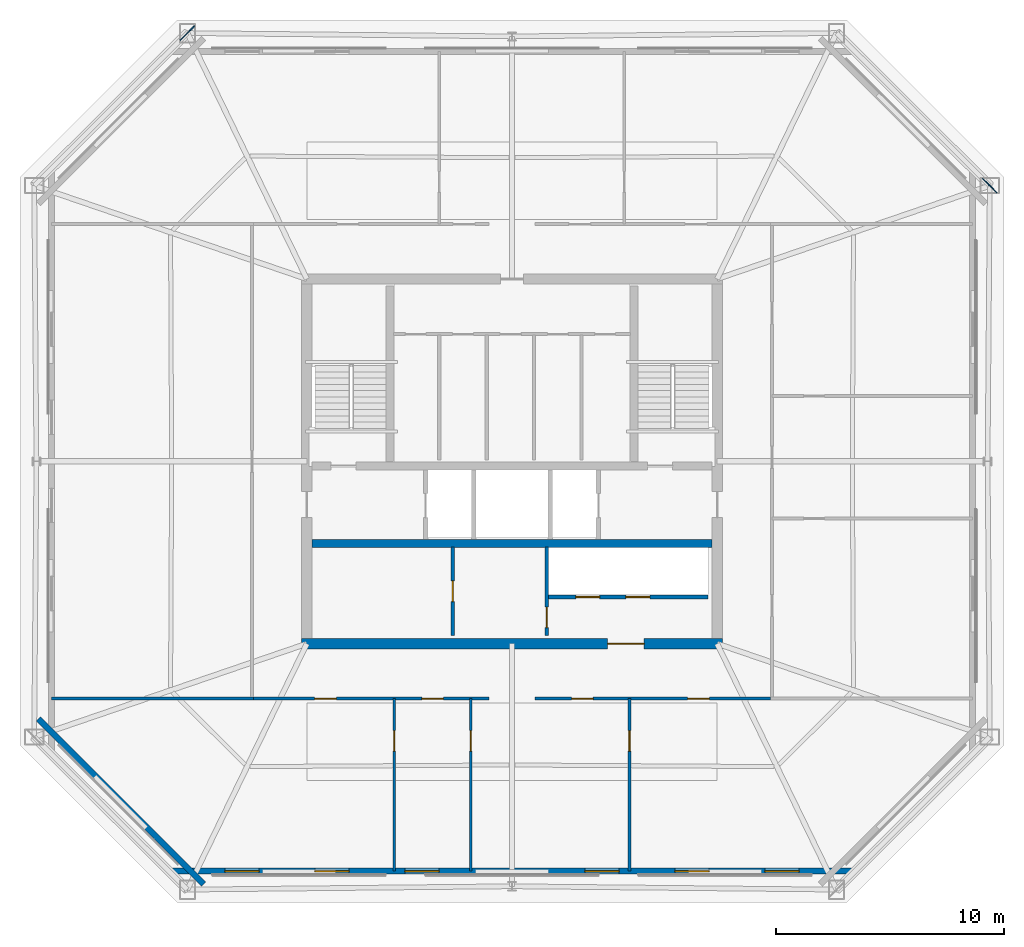
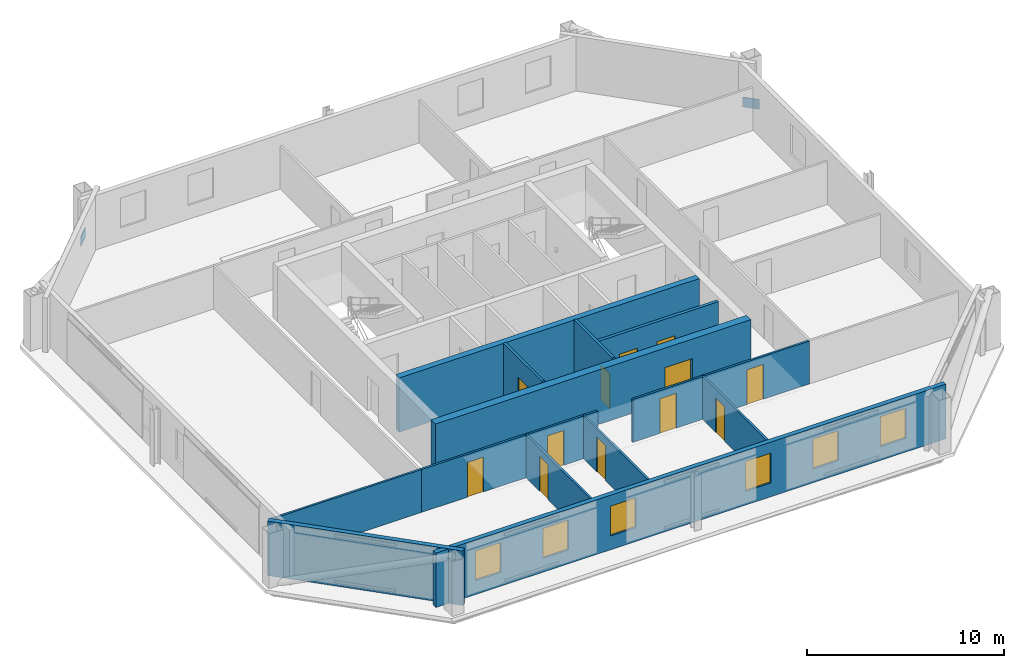
# One storey, part 2 of 7: 13 walls, 12 doors, 6 windows, 2 plates, 18 openings.
"""IFC4 building model written with IfcOpenShell, lengths in metres."""

from ifc_helpers import new_model, si_unit, direction, frame, frame_2d, origin, origin_2d, place, context, subcontext, project, spatial, rectangle, extrude, material, layer, layer_set, type_object, element, fill, save


model = new_model("IFC4")

# Units and contexts
model_context = context("Model", 3, precision=1e-05, world=origin(), true_north=direction((0.0, 1.0)))
body_context = subcontext(model_context, "Body", "Model", "MODEL_VIEW")
ifc_project = project(units=[si_unit("LENGTHUNIT", "METRE"), si_unit("AREAUNIT", "SQUARE_METRE"), si_unit("VOLUMEUNIT", "CUBIC_METRE"), si_unit("PLANEANGLEUNIT", "RADIAN"), si_unit("MASSUNIT", "GRAM", prefix="KILO")], contexts=[model_context])

# Site, building, storey
site_placement = place(None, origin())
site = spatial("IfcSite", under=ifc_project, at=site_placement, CompositionType="ELEMENT")
building_placement = place(site_placement, origin())
building = spatial("IfcBuilding", under=site, at=building_placement, Name="Caelvoria Tower", CompositionType="ELEMENT")
storey_placement = place(building_placement, frame((0.0, 0.0, 213.0)))
storey = spatial("IfcBuildingStorey", under=building, at=storey_placement, Name="L56", CompositionType="ELEMENT", Elevation=213.0)

# Plates
ifc_material_1 = material(Name="Structural Steel ASTM A572 Gr.50", Category="steel")
ifc_layer_1 = layer(ifc_material_1, 0.0400390625, Name="Structural Steel ASTM A572 Gr.50")
ifc_layer_set_1 = layer_set([ifc_layer_1], Name="Megaframe Node Gusset Plate 900x600x40 - Structural Steel ASTM A572 Gr.50")
plate_type = type_object("IfcPlateType", Name="Megaframe Node Gusset Plate 900x600x40", PredefinedType="USERDEFINED", material=ifc_layer_set_1)
for number, where, z_axis, x_axis, name in (
    (1, (66.962890625, 44.0947265625, 0.02001953125), (0.0, 0.0, 1.0), (-0.708439620888, 0.70577142444, 0.0), "Chamfer Mega Brace Gusset L56 NE"),
    (2, (31.757568359375, 50.789794921875, 0.02001953125), (0.0, 0.0, 1.0), (-0.708439620888, -0.70577142444, 0.0), "Chamfer Mega Brace Gusset L56 NW"),
):
    element("IfcPlate", number, at=place(storey_placement, frame(where, z_axis=z_axis, x_axis=x_axis)), inside=storey, type_object=plate_type, Name=name, ObjectType="GUSSET_PLATE", PredefinedType="USERDEFINED", context=body_context, shape_type="SweptSolid", body=[
        extrude(rectangle(XDim=0.89990234375, YDim=0.0400390625, at=origin_2d()), origin(), (0.0, 0.0, 1.0), 0.60009765625),
    ])

# Wall
ifc_material_2 = material(Name="Concrete C50/60", Category="concrete")
ifc_layer_2 = layer(ifc_material_2, 0.35009765625, Name="Concrete C50/60")
ifc_layer_set_2 = layer_set([ifc_layer_2], Name="Core Internal Shear Wall 350 - Concrete C50/60")
wall_type_1 = type_object("IfcWallType", Name="Core Internal Shear Wall 350", PredefinedType="SHEAR", material=ifc_layer_set_2)
wall_1_placement = place(storey_placement, frame((37.22509765625, 28.39990234375, 0.0), z_axis=(0.0, 0.0, 1.0), x_axis=(1.0, 0.0, 0.0)))
element("IfcWall", 3, at=wall_1_placement, inside=storey, type_object=wall_type_1, Name="Core Shear Wall L56 M2", PredefinedType="SHEAR", context=body_context, shape_type="SweptSolid", body=[
    extrude(rectangle(XDim=17.5498046875, YDim=0.35009765625, at=frame_2d((8.77490234375, 0.0))), origin(), (0.0, 0.0, 1.0), 3.360107421875),
])

# Wall, opening, door
ifc_material_3 = material(Name="Double Gypsum Board on Steel Stud", Category="steel")
ifc_layer_3 = layer(ifc_material_3, 0.14990234375, Name="Double Gypsum Board on Steel Stud")
ifc_layer_set_3 = layer_set([ifc_layer_3], Name="Core Service Acoustic Partition Wall 150 - Double Gypsum Board on Steel Stud")
wall_type_2 = type_object("IfcWallType", Name="Core Service Acoustic Partition Wall 150", PredefinedType="PARTITIONING", material=ifc_layer_set_3)
wall_2_placement = place(storey_placement, frame((43.39990234375, 24.35009765625, 0.0), z_axis=(0.0, 0.0, 1.0), x_axis=(0.0, 1.0, 0.0)))
wall_2 = element("IfcWall", 4, at=wall_2_placement, inside=storey, type_object=wall_type_2, Name="Interior Partition IW-L56-RECL-MID", PredefinedType="PARTITIONING", context=body_context, shape_type="SweptSolid", body=[
    extrude(rectangle(XDim=3.89990234375, YDim=0.14990234375, at=frame_2d((1.949951171875, 0.0))), origin(), (0.0, 0.0, 1.0), 3.375),
])
opening_1_placement = place(wall_2_placement, frame((1.5, 0.0, 0.0)))
opening_1 = element("IfcOpeningElement", 5, at=opening_1_placement, cuts=wall_2, Name="Opening ID-06", PredefinedType="OPENING", context=body_context, shape_type="SweptSolid", body=[
    extrude(rectangle(XDim=0.89990234375, YDim=2.14990234375, at=frame_2d((0.449951171875, 1.074951171875))), frame((0.0, 0.0849609375, 0.0), z_axis=(0.0, -1.0, 0.0), x_axis=(1.0, 0.0, 0.0)), (0.0, 0.0, 1.0), 0.169921875),
])
ifc_material_4 = material(Name="Engineered Andean Oak Veneer Door", Category="wood")
door_type_1 = type_object("IfcDoorType", Name="Interior Timber Door 900x2150", OperationType="NOTDEFINED", PredefinedType="DOOR", material=ifc_material_4)
door_1_placement = place(opening_1_placement, origin())
door_1 = element("IfcDoor", 6, at=door_1_placement, inside=storey, type_object=door_type_1, Name="Interior Door DR-L56-RECL12", OperationType="SINGLE_SWING_LEFT", OverallHeight=2.14990234375, OverallWidth=0.89990234375, PredefinedType="DOOR", context=body_context, shape_type="SweptSolid", body=[
    extrude(rectangle(XDim=0.89990234375, YDim=2.14990234375, at=frame_2d((0.449951171875, 1.074951171875))), frame((0.0, 0.02490234375, 0.0), z_axis=(0.0, -1.0, 0.0), x_axis=(1.0, 0.0, 0.0)), (0.0, 0.0, 1.0), 0.050048828125),
])
fill(opening_1, door_1)

wall_3_placement = place(storey_placement, frame((47.52001953125, 24.35009765625, 0.0), z_axis=(0.0, 0.0, 1.0), x_axis=(0.0, 1.0, 0.0)))
wall_3 = element("IfcWall", 7, at=wall_3_placement, inside=storey, type_object=wall_type_2, Name="Interior Partition IW-L56-RECL2E", PredefinedType="PARTITIONING", context=body_context, shape_type="SweptSolid", body=[
    extrude(rectangle(XDim=3.89990234375, YDim=0.14990234375, at=frame_2d((1.949951171875, 0.0))), origin(), (0.0, 0.0, 1.0), 3.375),
])
opening_2_placement = place(wall_3_placement, frame((0.35009765625, 0.0, 0.0)))
opening_2 = element("IfcOpeningElement", 8, at=opening_2_placement, cuts=wall_3, Name="Opening ID-04", PredefinedType="OPENING", context=body_context, shape_type="SweptSolid", body=[
    extrude(rectangle(XDim=0.89990234375, YDim=2.14990234375, at=frame_2d((0.449951171875, 1.074951171875))), frame((0.0, 0.0849609375, 0.0), z_axis=(0.0, -1.0, 0.0), x_axis=(1.0, 0.0, 0.0)), (0.0, 0.0, 1.0), 0.169921875),
])
ifc_material_5 = material(Name="Acoustic Timber Fire Door", Category="wood")
door_type_2 = type_object("IfcDoorType", Name="Fire Door FD30S 900x2150", OperationType="NOTDEFINED", PredefinedType="DOOR", material=ifc_material_5)
door_2_placement = place(opening_2_placement, origin())
door_2 = element("IfcDoor", 9, at=door_2_placement, inside=storey, type_object=door_type_2, Name="Interior Door DR-L56-RECL2", OperationType="SINGLE_SWING_RIGHT", OverallHeight=2.14990234375, OverallWidth=0.89990234375, PredefinedType="DOOR", context=body_context, shape_type="SweptSolid", body=[
    extrude(rectangle(XDim=0.89990234375, YDim=2.14990234375, at=frame_2d((0.449951171875, 1.074951171875))), frame((0.0, 0.02490234375, 0.0), z_axis=(0.0, -1.0, 0.0), x_axis=(1.0, 0.0, 0.0)), (0.0, 0.0, 1.0), 0.050048828125),
])
fill(opening_2, door_2)

# Wall, openings, doors
ifc_material_6 = material(Name="Concrete Block and Fireboard Assembly", Category="concrete")
ifc_layer_4 = layer(ifc_material_6, 0.179931640625, Name="Concrete Block and Fireboard Assembly")
ifc_layer_set_4 = layer_set([ifc_layer_4], Name="Fire-Rated Hoistway Partition Wall 180 - Concrete Block and Fireboard Assembly")
wall_type_3 = type_object("IfcWallType", Name="Fire-Rated Hoistway Partition Wall 180", PredefinedType="PARTITIONING", material=ifc_layer_set_4)
wall_4_placement = place(storey_placement, frame((47.60009765625, 26.050048828125, 0.0), z_axis=(0.0, 0.0, 1.0), x_axis=(1.0, 0.0, 0.0)))
wall_4 = element("IfcWall", 10, at=wall_4_placement, inside=storey, type_object=wall_type_3, Name="Interior Partition IW-L56-LFRONT", PredefinedType="PARTITIONING", context=body_context, shape_type="SweptSolid", body=[
    extrude(rectangle(XDim=7.0, YDim=0.179931640625, at=frame_2d((3.5, 0.0))), origin(), (0.0, 0.0, 1.0), 3.375),
])
opening_3_placement = place(wall_4_placement, frame((1.199951171875, 0.0, 0.0)))
opening_3 = element("IfcOpeningElement", 11, at=opening_3_placement, cuts=wall_4, Name="Opening LD-01", PredefinedType="OPENING", context=body_context, shape_type="SweptSolid", body=[
    extrude(rectangle(XDim=1.050048828125, YDim=2.14990234375, at=frame_2d((0.52490234375, 1.074951171875))), frame((0.0, 0.099853515625, 0.0), z_axis=(0.0, -1.0, 0.0), x_axis=(1.0, 0.0, 0.0)), (0.0, 0.0, 1.0), 0.199951171875),
])
opening_4_placement = place(wall_4_placement, frame((3.39990234375, 0.0, 0.0)))
opening_4 = element("IfcOpeningElement", 12, at=opening_4_placement, cuts=wall_4, Name="Opening LD-01", PredefinedType="OPENING", context=body_context, shape_type="SweptSolid", body=[
    extrude(rectangle(XDim=1.050048828125, YDim=2.14990234375, at=frame_2d((0.52490234375, 1.074951171875))), frame((0.0, 0.099853515625, 0.0), z_axis=(0.0, -1.0, 0.0), x_axis=(1.0, 0.0, 0.0)), (0.0, 0.0, 1.0), 0.199951171875),
])
ifc_material_7 = material(Name="Brushed Bronze Stainless Sliding Landing Door", Category="aluminium")
door_type_3 = type_object("IfcDoorType", Name="Lift Landing Sliding Door 1100x2150", OperationType="NOTDEFINED", PredefinedType="DOOR", material=ifc_material_7)
door_3_placement = place(opening_3_placement, origin())
door_3 = element("IfcDoor", 13, at=door_3_placement, inside=storey, type_object=door_type_3, Name="Interior Door LD-L56-PH1", OperationType="SLIDING_TO_LEFT", OverallHeight=2.14990234375, OverallWidth=1.050048828125, PredefinedType="DOOR", context=body_context, shape_type="SweptSolid", body=[
    extrude(rectangle(XDim=1.050048828125, YDim=2.14990234375, at=frame_2d((0.52490234375, 1.074951171875))), frame((0.0, 0.02490234375, 0.0), z_axis=(0.0, -1.0, 0.0), x_axis=(1.0, 0.0, 0.0)), (0.0, 0.0, 1.0), 0.050048828125),
])
fill(opening_3, door_3)
door_4_placement = place(opening_4_placement, origin())
door_4 = element("IfcDoor", 14, at=door_4_placement, inside=storey, type_object=door_type_3, Name="Interior Door LD-L56-PH2", OperationType="SLIDING_TO_RIGHT", OverallHeight=2.14990234375, OverallWidth=1.050048828125, PredefinedType="DOOR", context=body_context, shape_type="SweptSolid", body=[
    extrude(rectangle(XDim=1.050048828125, YDim=2.14990234375, at=frame_2d((0.52490234375, 1.074951171875))), frame((0.0, 0.02490234375, 0.0), z_axis=(0.0, -1.0, 0.0), x_axis=(1.0, 0.0, 0.0)), (0.0, 0.0, 1.0), 0.050048828125),
])
fill(opening_4, door_4)

# Wall, opening, door
ifc_material_8 = material(Name="Acoustic Gypsum Board on Light-Gauge Stud", Category="gypsum")
ifc_layer_5 = layer(ifc_material_8, 0.1201171875, Name="Acoustic Gypsum Board on Light-Gauge Stud")
ifc_layer_set_5 = layer_set([ifc_layer_5], Name="Tenant Suite Acoustic Partition Wall 120 - Acoustic Gypsum Board on Light-Gauge Stud")
wall_type_4 = type_object("IfcWallType", Name="Tenant Suite Acoustic Partition Wall 120", PredefinedType="PARTITIONING", material=ifc_layer_set_5)
wall_5_placement = place(storey_placement, frame((40.83935546875, 21.590087890625, 0.0), z_axis=(0.0, 0.0, 1.0), x_axis=(0.0, -1.0, 0.0)))
wall_5 = element("IfcWall", 15, at=wall_5_placement, inside=storey, type_object=wall_type_4, Name="Interior Partition IW-L56-SD-00-0", PredefinedType="PARTITIONING", context=body_context, shape_type="SweptSolid", body=[
    extrude(rectangle(XDim=7.57373046875, YDim=0.1201171875, at=frame_2d((3.786865234375, 0.0))), origin(), (0.0, 0.0, 1.0), 2.655029296875),
])
opening_5_placement = place(wall_5_placement, frame((1.39990234375, 0.0, 0.0)))
opening_5 = element("IfcOpeningElement", 16, at=opening_5_placement, cuts=wall_5, Name="Opening ID-06", PredefinedType="OPENING", context=body_context, shape_type="SweptSolid", body=[
    extrude(rectangle(XDim=0.89990234375, YDim=2.14990234375, at=frame_2d((0.449951171875, 1.074951171875))), frame((0.0, 0.070068359375, 0.0), z_axis=(0.0, -1.0, 0.0), x_axis=(1.0, 0.0, 0.0)), (0.0, 0.0, 1.0), 0.14013671875),
])
door_5_placement = place(opening_5_placement, origin())
door_5 = element("IfcDoor", 17, at=door_5_placement, inside=storey, type_object=door_type_1, Name="Interior Door DR-L56-SM-00-0", OperationType="SINGLE_SWING_RIGHT", OverallHeight=2.14990234375, OverallWidth=0.89990234375, PredefinedType="DOOR", context=body_context, shape_type="SweptSolid", body=[
    extrude(rectangle(XDim=0.89990234375, YDim=2.14990234375, at=frame_2d((0.449951171875, 1.074951171875))), frame((0.0, 0.02490234375, 0.0), z_axis=(0.0, -1.0, 0.0), x_axis=(1.0, 0.0, 0.0)), (0.0, 0.0, 1.0), 0.050048828125),
])
fill(opening_5, door_5)

wall_6_placement = place(storey_placement, frame((44.19580078125, 21.590087890625, 0.0), z_axis=(0.0, 0.0, 1.0), x_axis=(0.0, -1.0, 0.0)))
wall_6 = element("IfcWall", 18, at=wall_6_placement, inside=storey, type_object=wall_type_4, Name="Interior Partition IW-L56-SD-01-0", PredefinedType="PARTITIONING", context=body_context, shape_type="SweptSolid", body=[
    extrude(rectangle(XDim=7.57373046875, YDim=0.1201171875, at=frame_2d((3.786865234375, 0.0))), origin(), (0.0, 0.0, 1.0), 2.655029296875),
])
opening_6_placement = place(wall_6_placement, frame((1.39990234375, 0.0, 0.0)))
opening_6 = element("IfcOpeningElement", 19, at=opening_6_placement, cuts=wall_6, Name="Opening ID-06", PredefinedType="OPENING", context=body_context, shape_type="SweptSolid", body=[
    extrude(rectangle(XDim=0.89990234375, YDim=2.14990234375, at=frame_2d((0.449951171875, 1.074951171875))), frame((0.0, 0.070068359375, 0.0), z_axis=(0.0, -1.0, 0.0), x_axis=(1.0, 0.0, 0.0)), (0.0, 0.0, 1.0), 0.14013671875),
])
door_6_placement = place(opening_6_placement, origin())
door_6 = element("IfcDoor", 20, at=door_6_placement, inside=storey, type_object=door_type_1, Name="Interior Door DR-L56-SM-01-0", OperationType="SINGLE_SWING_LEFT", OverallHeight=2.14990234375, OverallWidth=0.89990234375, PredefinedType="DOOR", context=body_context, shape_type="SweptSolid", body=[
    extrude(rectangle(XDim=0.89990234375, YDim=2.14990234375, at=frame_2d((0.449951171875, 1.074951171875))), frame((0.0, 0.02490234375, 0.0), z_axis=(0.0, -1.0, 0.0), x_axis=(1.0, 0.0, 0.0)), (0.0, 0.0, 1.0), 0.050048828125),
])
fill(opening_6, door_6)

wall_7_placement = place(storey_placement, frame((51.155517578125, 21.590087890625, 0.0), z_axis=(0.0, 0.0, 1.0), x_axis=(0.0, -1.0, 0.0)))
wall_7 = element("IfcWall", 21, at=wall_7_placement, inside=storey, type_object=wall_type_4, Name="Interior Partition IW-L56-SD-02-0", PredefinedType="PARTITIONING", context=body_context, shape_type="SweptSolid", body=[
    extrude(rectangle(XDim=7.57373046875, YDim=0.1201171875, at=frame_2d((3.786865234375, 0.0))), origin(), (0.0, 0.0, 1.0), 2.655029296875),
])
opening_7_placement = place(wall_7_placement, frame((1.39990234375, 0.0, 0.0)))
opening_7 = element("IfcOpeningElement", 22, at=opening_7_placement, cuts=wall_7, Name="Opening ID-06", PredefinedType="OPENING", context=body_context, shape_type="SweptSolid", body=[
    extrude(rectangle(XDim=0.89990234375, YDim=2.14990234375, at=frame_2d((0.449951171875, 1.074951171875))), frame((0.0, 0.070068359375, 0.0), z_axis=(0.0, -1.0, 0.0), x_axis=(1.0, 0.0, 0.0)), (0.0, 0.0, 1.0), 0.14013671875),
])
door_7_placement = place(opening_7_placement, origin())
door_7 = element("IfcDoor", 23, at=door_7_placement, inside=storey, type_object=door_type_1, Name="Interior Door DR-L56-SM-02-0", OperationType="SINGLE_SWING_RIGHT", OverallHeight=2.14990234375, OverallWidth=0.89990234375, PredefinedType="DOOR", context=body_context, shape_type="SweptSolid", body=[
    extrude(rectangle(XDim=0.89990234375, YDim=2.14990234375, at=frame_2d((0.449951171875, 1.074951171875))), frame((0.0, 0.02490234375, 0.0), z_axis=(0.0, -1.0, 0.0), x_axis=(1.0, 0.0, 0.0)), (0.0, 0.0, 1.0), 0.050048828125),
])
fill(opening_7, door_7)

# Wall, openings, doors
wall_8_placement = place(storey_placement, frame((34.64990234375, 21.590087890625, 0.0), z_axis=(0.0, 0.0, 1.0), x_axis=(1.0, 0.0, 0.0)))
wall_8 = element("IfcWall", 24, at=wall_8_placement, inside=storey, type_object=wall_type_4, Name="Interior Partition IW-L56-SCW-0", PredefinedType="PARTITIONING", context=body_context, shape_type="SweptSolid", body=[
    extrude(rectangle(XDim=10.330078125, YDim=0.1201171875, at=frame_2d((5.1650390625, 0.0))), origin(), (0.0, 0.0, 1.0), 2.655029296875),
])
opening_8_placement = place(wall_8_placement, frame((2.689697265625, 0.0, 0.0)))
opening_8 = element("IfcOpeningElement", 25, at=opening_8_placement, cuts=wall_8, Name="Opening ID-05", PredefinedType="OPENING", context=body_context, shape_type="SweptSolid", body=[
    extrude(rectangle(XDim=0.949951171875, YDim=2.14990234375, at=frame_2d((0.47509765625, 1.074951171875))), frame((0.0, 0.070068359375, 0.0), z_axis=(0.0, -1.0, 0.0), x_axis=(1.0, 0.0, 0.0)), (0.0, 0.0, 1.0), 0.14013671875),
])
opening_9_placement = place(wall_8_placement, frame((7.392578125, 0.0, 0.0)))
opening_9 = element("IfcOpeningElement", 26, at=opening_9_placement, cuts=wall_8, Name="Opening ID-05", PredefinedType="OPENING", context=body_context, shape_type="SweptSolid", body=[
    extrude(rectangle(XDim=0.949951171875, YDim=2.14990234375, at=frame_2d((0.47509765625, 1.074951171875))), frame((0.0, 0.070068359375, 0.0), z_axis=(0.0, -1.0, 0.0), x_axis=(1.0, 0.0, 0.0)), (0.0, 0.0, 1.0), 0.14013671875),
])
door_type_4 = type_object("IfcDoorType", Name="Interior Timber Door 950x2150", OperationType="NOTDEFINED", PredefinedType="DOOR", material=ifc_material_4)
door_8_placement = place(opening_8_placement, origin())
door_8 = element("IfcDoor", 27, at=door_8_placement, inside=storey, type_object=door_type_4, Name="Interior Door DR-L56-SC-00-0", OperationType="SINGLE_SWING_LEFT", OverallHeight=2.14990234375, OverallWidth=0.949951171875, PredefinedType="DOOR", context=body_context, shape_type="SweptSolid", body=[
    extrude(rectangle(XDim=0.949951171875, YDim=2.14990234375, at=frame_2d((0.47509765625, 1.074951171875))), frame((0.0, 0.02490234375, 0.0), z_axis=(0.0, -1.0, 0.0), x_axis=(1.0, 0.0, 0.0)), (0.0, 0.0, 1.0), 0.050048828125),
])
fill(opening_8, door_8)
door_9_placement = place(opening_9_placement, origin())
door_9 = element("IfcDoor", 28, at=door_9_placement, inside=storey, type_object=door_type_4, Name="Interior Door DR-L56-SC-01-0", OperationType="SINGLE_SWING_RIGHT", OverallHeight=2.14990234375, OverallWidth=0.949951171875, PredefinedType="DOOR", context=body_context, shape_type="SweptSolid", body=[
    extrude(rectangle(XDim=0.949951171875, YDim=2.14990234375, at=frame_2d((0.47509765625, 1.074951171875))), frame((0.0, 0.02490234375, 0.0), z_axis=(0.0, -1.0, 0.0), x_axis=(1.0, 0.0, 0.0)), (0.0, 0.0, 1.0), 0.050048828125),
])
fill(opening_9, door_9)

wall_9_placement = place(storey_placement, frame((47.02001953125, 21.590087890625, 0.0), z_axis=(0.0, 0.0, 1.0), x_axis=(1.0, 0.0, 0.0)))
wall_9 = element("IfcWall", 29, at=wall_9_placement, inside=storey, type_object=wall_type_4, Name="Interior Partition IW-L56-SCW-1", PredefinedType="PARTITIONING", context=body_context, shape_type="SweptSolid", body=[
    extrude(rectangle(XDim=10.330078125, YDim=0.1201171875, at=frame_2d((5.1650390625, 0.0))), origin(), (0.0, 0.0, 1.0), 2.655029296875),
])
opening_10_placement = place(wall_9_placement, frame((1.5927734375, 0.0, 0.0)))
opening_10 = element("IfcOpeningElement", 30, at=opening_10_placement, cuts=wall_9, Name="Opening ID-05", PredefinedType="OPENING", context=body_context, shape_type="SweptSolid", body=[
    extrude(rectangle(XDim=0.949951171875, YDim=2.14990234375, at=frame_2d((0.47509765625, 1.074951171875))), frame((0.0, 0.070068359375, 0.0), z_axis=(0.0, -1.0, 0.0), x_axis=(1.0, 0.0, 0.0)), (0.0, 0.0, 1.0), 0.14013671875),
])
opening_11_placement = place(wall_9_placement, frame((6.687744140625, 0.0, 0.0)))
opening_11 = element("IfcOpeningElement", 31, at=opening_11_placement, cuts=wall_9, Name="Opening ID-05", PredefinedType="OPENING", context=body_context, shape_type="SweptSolid", body=[
    extrude(rectangle(XDim=0.949951171875, YDim=2.14990234375, at=frame_2d((0.47509765625, 1.074951171875))), frame((0.0, 0.070068359375, 0.0), z_axis=(0.0, -1.0, 0.0), x_axis=(1.0, 0.0, 0.0)), (0.0, 0.0, 1.0), 0.14013671875),
])
door_10_placement = place(opening_10_placement, origin())
door_10 = element("IfcDoor", 32, at=door_10_placement, inside=storey, type_object=door_type_4, Name="Interior Door DR-L56-SC-02-0", OperationType="SINGLE_SWING_LEFT", OverallHeight=2.14990234375, OverallWidth=0.949951171875, PredefinedType="DOOR", context=body_context, shape_type="SweptSolid", body=[
    extrude(rectangle(XDim=0.949951171875, YDim=2.14990234375, at=frame_2d((0.47509765625, 1.074951171875))), frame((0.0, 0.02490234375, 0.0), z_axis=(0.0, -1.0, 0.0), x_axis=(1.0, 0.0, 0.0)), (0.0, 0.0, 1.0), 0.050048828125),
])
fill(opening_10, door_10)
door_11_placement = place(opening_11_placement, origin())
door_11 = element("IfcDoor", 33, at=door_11_placement, inside=storey, type_object=door_type_4, Name="Interior Door DR-L56-SC-03-0", OperationType="SINGLE_SWING_RIGHT", OverallHeight=2.14990234375, OverallWidth=0.949951171875, PredefinedType="DOOR", context=body_context, shape_type="SweptSolid", body=[
    extrude(rectangle(XDim=0.949951171875, YDim=2.14990234375, at=frame_2d((0.47509765625, 1.074951171875))), frame((0.0, 0.02490234375, 0.0), z_axis=(0.0, -1.0, 0.0), x_axis=(1.0, 0.0, 0.0)), (0.0, 0.0, 1.0), 0.050048828125),
])
fill(opening_11, door_11)

# Wall
wall_10_placement = place(storey_placement, frame((34.64990234375, 21.590087890625, 0.0), z_axis=(0.0, 0.0, 1.0), x_axis=(-1.0, 0.0, 0.0)))
element("IfcWall", 34, at=wall_10_placement, inside=storey, type_object=wall_type_4, Name="Interior Partition IW-L56-BSW-0", PredefinedType="PARTITIONING", context=body_context, shape_type="SweptSolid", body=[
    extrude(rectangle(XDim=8.856201171875, YDim=0.1201171875, at=frame_2d((4.42822265625, 0.0))), origin(), (0.0, 0.0, 1.0), 2.655029296875),
])

# Wall, opening, door
ifc_layer_6 = layer(ifc_material_2, 0.449951171875, Name="Concrete C50/60")
ifc_layer_set_6 = layer_set([ifc_layer_6], Name="Upper Core Shear Wall 450 - Concrete C50/60")
wall_type_5 = type_object("IfcWallType", Name="Upper Core Shear Wall 450", PredefinedType="SHEAR", material=ifc_layer_set_6)
wall_11_placement = place(storey_placement, frame((36.77490234375, 24.0, 0.0), z_axis=(0.0, 0.0, 1.0), x_axis=(1.0, 0.0, 0.0)))
wall_11 = element("IfcWall", 35, at=wall_11_placement, inside=storey, type_object=wall_type_5, Name="Core Shear Wall L56 S", PredefinedType="SHEAR", context=body_context, shape_type="SweptSolid", body=[
    extrude(rectangle(XDim=18.4501953125, YDim=0.449951171875, at=frame_2d((9.22509765625, 0.0))), origin(), (0.0, 0.0, 1.0), 3.360107421875),
])
opening_12_placement = place(wall_11_placement, frame((13.425048828125, 0.0, 0.0)))
opening_12 = element("IfcOpeningElement", 36, at=opening_12_placement, cuts=wall_11, Name="Opening ID-08", PredefinedType="OPENING", context=body_context, shape_type="SweptSolid", body=[
    extrude(rectangle(XDim=1.60009765625, YDim=2.14990234375, at=frame_2d((0.800048828125, 1.074951171875))), frame((0.0, 0.23486328125, 0.0), z_axis=(0.0, -1.0, 0.0), x_axis=(1.0, 0.0, 0.0)), (0.0, 0.0, 1.0), 0.469970703125),
])
ifc_material_9 = material(Name="Bronze-Framed Fire-Rated Glazed Double Door", Category="aluminium")
door_type_5 = type_object("IfcDoorType", Name="Double Lobby Glazed Door 1600x2200", OperationType="NOTDEFINED", PredefinedType="DOOR", material=ifc_material_9)
door_12_placement = place(opening_12_placement, origin())
door_12 = element("IfcDoor", 37, at=door_12_placement, inside=storey, type_object=door_type_5, Name="Core Door DR-L56-LLOB-S2", OperationType="DOUBLE_DOOR_SINGLE_SWING", OverallHeight=2.14990234375, OverallWidth=1.60009765625, PredefinedType="DOOR", context=body_context, shape_type="SweptSolid", body=[
    extrude(rectangle(XDim=1.60009765625, YDim=2.14990234375, at=frame_2d((0.800048828125, 1.074951171875))), frame((0.0, 0.02490234375, 0.0), z_axis=(0.0, -1.0, 0.0), x_axis=(1.0, 0.0, 0.0)), (0.0, 0.0, 1.0), 0.050048828125),
])
fill(opening_12, door_12)

# Wall, openings, windows
ifc_material_10 = material(Name="Precast Concrete C40/50 with Bronze Cladding", Category="concrete")
ifc_layer_7 = layer(ifc_material_10, 0.264892578125, Name="Precast Concrete C40/50 with Bronze Cladding")
ifc_layer_set_7 = layer_set([ifc_layer_7], Name="Upper Taper Precast Concrete C40/50 Bronze Facade Wall 265 - Precast Concrete C40/50 with Bronze Cladding")
wall_type_6 = type_object("IfcWallType", Name="Upper Taper Precast Concrete C40/50 Bronze Facade Wall 265", PredefinedType="STANDARD", material=ifc_layer_set_7)
wall_12_placement = place(storey_placement, frame((31.082763671875, 14.016357421875, 0.0), z_axis=(0.0, 0.0, 1.0), x_axis=(1.0, 0.0, 0.0)))
wall_12 = element("IfcWall", 38, at=wall_12_placement, inside=storey, type_object=wall_type_6, Name="Exterior Facade Wall L56-E0", PredefinedType="STANDARD", context=body_context, shape_type="SweptSolid", body=[
    extrude(rectangle(XDim=29.83447265625, YDim=0.264892578125, at=frame_2d((14.917236328125, 0.0))), origin(), (0.0, 0.0, 1.0), 3.375),
])
opening_13_placement = place(wall_12_placement, frame((2.323974609375, 0.0, 0.85009765625)))
opening_13 = element("IfcOpeningElement", 39, at=opening_13_placement, cuts=wall_12, Name="Opening WN-03", PredefinedType="OPENING", context=body_context, shape_type="SweptSolid", body=[
    extrude(rectangle(XDim=1.5, YDim=1.85009765625, at=frame_2d((0.75, 0.925048828125))), frame((0.0, 0.142333984375, 0.0), z_axis=(0.0, -1.0, 0.0), x_axis=(1.0, 0.0, 0.0)), (0.0, 0.0, 1.0), 0.284912109375),
])
opening_14_placement = place(wall_12_placement, frame((6.271728515625, 0.0, 0.85009765625)))
opening_14 = element("IfcOpeningElement", 40, at=opening_14_placement, cuts=wall_12, Name="Opening WN-03", PredefinedType="OPENING", context=body_context, shape_type="SweptSolid", body=[
    extrude(rectangle(XDim=1.5, YDim=1.85009765625, at=frame_2d((0.75, 0.925048828125))), frame((0.0, 0.142333984375, 0.0), z_axis=(0.0, -1.0, 0.0), x_axis=(1.0, 0.0, 0.0)), (0.0, 0.0, 1.0), 0.284912109375),
])
opening_15_placement = place(wall_12_placement, frame((10.219482421875, 0.0, 0.85009765625)))
opening_15 = element("IfcOpeningElement", 41, at=opening_15_placement, cuts=wall_12, Name="Opening WN-03", PredefinedType="OPENING", context=body_context, shape_type="SweptSolid", body=[
    extrude(rectangle(XDim=1.5, YDim=1.85009765625, at=frame_2d((0.75, 0.925048828125))), frame((0.0, 0.142333984375, 0.0), z_axis=(0.0, -1.0, 0.0), x_axis=(1.0, 0.0, 0.0)), (0.0, 0.0, 1.0), 0.284912109375),
])
opening_16_placement = place(wall_12_placement, frame((18.114990234375, 0.0, 0.85009765625)))
opening_16 = element("IfcOpeningElement", 42, at=opening_16_placement, cuts=wall_12, Name="Opening WN-03", PredefinedType="OPENING", context=body_context, shape_type="SweptSolid", body=[
    extrude(rectangle(XDim=1.5, YDim=1.85009765625, at=frame_2d((0.75, 0.925048828125))), frame((0.0, 0.142333984375, 0.0), z_axis=(0.0, -1.0, 0.0), x_axis=(1.0, 0.0, 0.0)), (0.0, 0.0, 1.0), 0.284912109375),
])
opening_17_placement = place(wall_12_placement, frame((22.06298828125, 0.0, 0.85009765625)))
opening_17 = element("IfcOpeningElement", 43, at=opening_17_placement, cuts=wall_12, Name="Opening WN-03", PredefinedType="OPENING", context=body_context, shape_type="SweptSolid", body=[
    extrude(rectangle(XDim=1.5, YDim=1.85009765625, at=frame_2d((0.75, 0.925048828125))), frame((0.0, 0.142333984375, 0.0), z_axis=(0.0, -1.0, 0.0), x_axis=(1.0, 0.0, 0.0)), (0.0, 0.0, 1.0), 0.284912109375),
])
opening_18_placement = place(wall_12_placement, frame((26.0107421875, 0.0, 0.85009765625)))
opening_18 = element("IfcOpeningElement", 44, at=opening_18_placement, cuts=wall_12, Name="Opening WN-03", PredefinedType="OPENING", context=body_context, shape_type="SweptSolid", body=[
    extrude(rectangle(XDim=1.5, YDim=1.85009765625, at=frame_2d((0.75, 0.925048828125))), frame((0.0, 0.142333984375, 0.0), z_axis=(0.0, -1.0, 0.0), x_axis=(1.0, 0.0, 0.0)), (0.0, 0.0, 1.0), 0.284912109375),
])
ifc_material_11 = material(Name="Low-E Tinted Glass in Bronze Aluminium Frame", Category="aluminium")
window_type = type_object("IfcWindowType", Name="Upper Taper Vision Window 1500x1850", PartitioningType="SINGLE_PANEL", PredefinedType="WINDOW", material=ifc_material_11)
window_1_placement = place(opening_13_placement, origin())
window_1 = element("IfcWindow", 45, at=window_1_placement, inside=storey, type_object=window_type, Name="Facade Window L56-E0-00", OverallHeight=1.85009765625, OverallWidth=1.5, PartitioningType="SINGLE_PANEL", PredefinedType="WINDOW", context=body_context, shape_type="SweptSolid", body=[
    extrude(rectangle(XDim=1.5, YDim=1.85009765625, at=frame_2d((0.75, 0.925048828125))), frame((0.0, 0.030029296875, 0.0), z_axis=(0.0, -1.0, 0.0), x_axis=(1.0, 0.0, 0.0)), (0.0, 0.0, 1.0), 0.06005859375),
])
fill(opening_13, window_1)
window_2_placement = place(opening_14_placement, origin())
window_2 = element("IfcWindow", 46, at=window_2_placement, inside=storey, type_object=window_type, Name="Facade Window L56-E0-01", OverallHeight=1.85009765625, OverallWidth=1.5, PartitioningType="SINGLE_PANEL", PredefinedType="WINDOW", context=body_context, shape_type="SweptSolid", body=[
    extrude(rectangle(XDim=1.5, YDim=1.85009765625, at=frame_2d((0.75, 0.925048828125))), frame((0.0, 0.030029296875, 0.0), z_axis=(0.0, -1.0, 0.0), x_axis=(1.0, 0.0, 0.0)), (0.0, 0.0, 1.0), 0.06005859375),
])
fill(opening_14, window_2)
window_3_placement = place(opening_15_placement, origin())
window_3 = element("IfcWindow", 47, at=window_3_placement, inside=storey, type_object=window_type, Name="Facade Window L56-E0-02", OverallHeight=1.85009765625, OverallWidth=1.5, PartitioningType="SINGLE_PANEL", PredefinedType="WINDOW", context=body_context, shape_type="SweptSolid", body=[
    extrude(rectangle(XDim=1.5, YDim=1.85009765625, at=frame_2d((0.75, 0.925048828125))), frame((0.0, 0.030029296875, 0.0), z_axis=(0.0, -1.0, 0.0), x_axis=(1.0, 0.0, 0.0)), (0.0, 0.0, 1.0), 0.06005859375),
])
fill(opening_15, window_3)
window_4_placement = place(opening_16_placement, origin())
window_4 = element("IfcWindow", 48, at=window_4_placement, inside=storey, type_object=window_type, Name="Facade Window L56-E0-04", OverallHeight=1.85009765625, OverallWidth=1.5, PartitioningType="SINGLE_PANEL", PredefinedType="WINDOW", context=body_context, shape_type="SweptSolid", body=[
    extrude(rectangle(XDim=1.5, YDim=1.85009765625, at=frame_2d((0.75, 0.925048828125))), frame((0.0, 0.030029296875, 0.0), z_axis=(0.0, -1.0, 0.0), x_axis=(1.0, 0.0, 0.0)), (0.0, 0.0, 1.0), 0.06005859375),
])
fill(opening_16, window_4)
window_5_placement = place(opening_17_placement, origin())
window_5 = element("IfcWindow", 49, at=window_5_placement, inside=storey, type_object=window_type, Name="Facade Window L56-E0-05", OverallHeight=1.85009765625, OverallWidth=1.5, PartitioningType="SINGLE_PANEL", PredefinedType="WINDOW", context=body_context, shape_type="SweptSolid", body=[
    extrude(rectangle(XDim=1.5, YDim=1.85009765625, at=frame_2d((0.75, 0.925048828125))), frame((0.0, 0.030029296875, 0.0), z_axis=(0.0, -1.0, 0.0), x_axis=(1.0, 0.0, 0.0)), (0.0, 0.0, 1.0), 0.06005859375),
])
fill(opening_17, window_5)
window_6_placement = place(opening_18_placement, origin())
window_6 = element("IfcWindow", 50, at=window_6_placement, inside=storey, type_object=window_type, Name="Facade Window L56-E0-06", OverallHeight=1.85009765625, OverallWidth=1.5, PartitioningType="SINGLE_PANEL", PredefinedType="WINDOW", context=body_context, shape_type="SweptSolid", body=[
    extrude(rectangle(XDim=1.5, YDim=1.85009765625, at=frame_2d((0.75, 0.925048828125))), frame((0.0, 0.030029296875, 0.0), z_axis=(0.0, -1.0, 0.0), x_axis=(1.0, 0.0, 0.0)), (0.0, 0.0, 1.0), 0.06005859375),
])
fill(opening_18, window_6)

# Wall
wall_13_placement = place(storey_placement, frame((25.2197265625, 20.69091796875, 0.0), z_axis=(0.0, 0.0, 1.0), x_axis=(0.707106781187, -0.707106781187, 0.0)))
element("IfcWall", 51, at=wall_13_placement, inside=storey, type_object=wall_type_6, Name="Exterior Facade Wall L56-E7", PredefinedType="STANDARD", context=body_context, shape_type="SweptSolid", body=[
    extrude(rectangle(XDim=10.2509765625, YDim=0.264892578125, at=frame_2d((5.12548828125, 0.0))), origin(), (0.0, 0.0, 1.0), 3.375),
])

save(model, "model.ifc")
